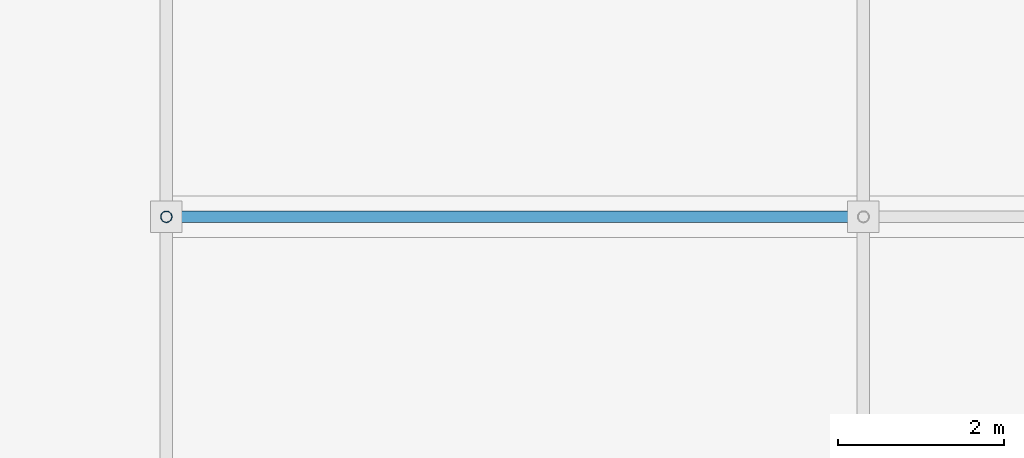
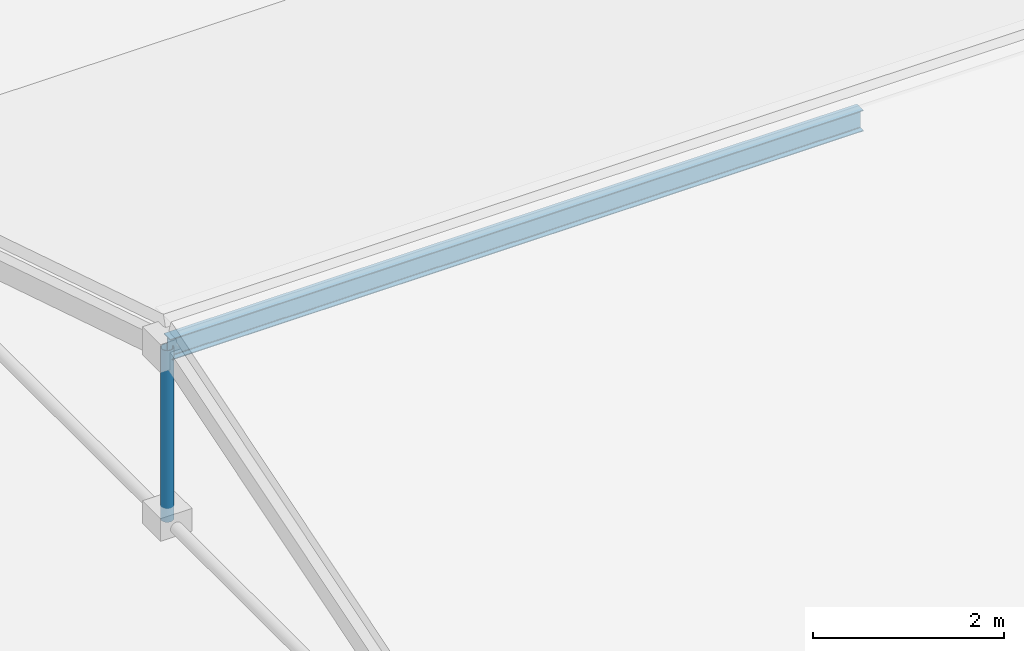
# One storey, part 3 of 16: 1 beam, 1 member.
"""IFC4 building model written with IfcOpenShell, lengths in metres."""

import ifcopenshell
import ifcopenshell.guid

model = None  # the IFC model being written
_history = None  # IfcOwnerHistory: only IFC2X3 demands one
_inside = {}  # id of a spatial element -> (the spatial element, [elements in it])
_under = {}  # id of a project, library or spatial element -> (it, [spatial elements below it])
_declared = {}  # id of a project -> (the project, [libraries it declares])
_typed = {}  # id of a type object -> (the type object, [elements of that type])
_made_of = {}  # id of a material, layer set ... -> (it, [elements and type objects made of it])


def new_model(schema):
    """Start an empty IFC model of exactly this schema.

    Asked for "IFC4X3", IfcOpenShell would pick the latest addendum, in which some entities
    have other attributes; the version numbers below select the first issue.
    IFC2X3 requires an IfcOwnerHistory on every rooted entity: one is made here for all.
    """
    global model, _history
    if schema == "IFC4X3":
        model = ifcopenshell.file(schema_version=(4, 3, 0, 0))
    else:
        model = ifcopenshell.file(schema=schema)
    _inside.clear()
    _under.clear()
    _declared.clear()
    _typed.clear()
    _made_of.clear()
    _history = None
    if model.schema == "IFC2X3":
        org = make("IfcOrganization", Name="unknown")
        user = make(
            "IfcPersonAndOrganization",
            ThePerson=make("IfcPerson", FamilyName="unknown"),
            TheOrganization=org,
        )
        app = make(
            "IfcApplication",
            ApplicationDeveloper=org,
            Version="unknown",
            ApplicationFullName="unknown",
            ApplicationIdentifier="unknown",
        )
        _history = make(
            "IfcOwnerHistory",
            OwningUser=user,
            OwningApplication=app,
            ChangeAction="ADDED",
            CreationDate=0,
        )
    return model


def make(cls, **values):
    """One entity of the class cls with the attributes given. An attribute that is None is left unset."""
    return model.create_entity(
        cls, **{name: value for name, value in values.items() if value is not None}
    )


def rooted(cls, **values):
    """An entity with a GlobalId (a new one), such as an element, a storey or a relation."""
    return make(cls, GlobalId=ifcopenshell.guid.new(), OwnerHistory=_history, **values)


def si_unit(unit_type, name, prefix=None):
    """IfcSIUnit, for example si_unit("LENGTHUNIT", "METRE", prefix="MILLI")."""
    return make("IfcSIUnit", UnitType=unit_type, Prefix=prefix, Name=name)


def assignment(units):
    """IfcUnitAssignment: the units of a project."""
    return None if units is None else make("IfcUnitAssignment", Units=units)


def point(xyz):
    """IfcCartesianPoint."""
    return None if xyz is None else make("IfcCartesianPoint", Coordinates=xyz)


def direction(xyz):
    """IfcDirection."""
    return None if xyz is None else make("IfcDirection", DirectionRatios=xyz)


def frame(location, z_axis=None, x_axis=None):
    """IfcAxis2Placement3D, a coordinate frame: its origin and axes. An axis left out is left unset."""
    return make(
        "IfcAxis2Placement3D",
        Location=point(location),
        Axis=direction(z_axis),
        RefDirection=direction(x_axis),
    )


def frame_2d(location, x_axis=None):
    """IfcAxis2Placement2D, a coordinate frame in the plane: its origin and x axis."""
    return make(
        "IfcAxis2Placement2D", Location=point(location), RefDirection=direction(x_axis)
    )


def origin():
    """The frame at (0, 0, 0) with its axes left unset."""
    return frame((0.0, 0.0, 0.0))


def origin_2d():
    """The frame at (0, 0) in the plane with its x axis left unset."""
    return frame_2d((0.0, 0.0))


def place(relative_to, where):
    """IfcLocalPlacement: puts the frame where relative to a parent placement (None: the world)."""
    return make(
        "IfcLocalPlacement", PlacementRelTo=relative_to, RelativePlacement=where
    )


def context(
    kind, dimensions, precision=None, world=None, true_north=None, identifier=None
):
    """IfcGeometricRepresentationContext, for example the 3D "Model" context."""
    return make(
        "IfcGeometricRepresentationContext",
        ContextIdentifier=identifier,
        ContextType=kind,
        CoordinateSpaceDimension=dimensions,
        Precision=precision,
        WorldCoordinateSystem=world,
        TrueNorth=true_north,
    )


def subcontext(parent, identifier, kind, view, scale=None):
    """IfcGeometricRepresentationSubContext, for example "Body" below "Model"."""
    return make(
        "IfcGeometricRepresentationSubContext",
        ContextIdentifier=identifier,
        ContextType=kind,
        ParentContext=parent,
        TargetScale=scale,
        TargetView=view,
    )


def project(units=None, contexts=None):
    """IfcProject with its units and contexts."""
    return rooted(
        "IfcProject",
        Name="project",
        RepresentationContexts=contexts,
        UnitsInContext=assignment(units),
    )


def spatial(cls, under=None, at=None, **own):
    """A site, building, storey or space (cls), placed at a placement, below another one or the project."""
    s = rooted(cls, ObjectPlacement=at, **own)
    if under is not None:
        _under.setdefault(under.id(), (under, []))[1].append(s)
    return s


def profile(cls, at=None, kind="AREA", **sizes):
    """A parametric profile (cls). Its sizes go by their IFC names, for example OverallWidth=200.0."""
    return make(cls, ProfileType=kind, Position=at, **sizes)


def hollow_circle(**sizes):
    """IfcCircleHollowProfileDef."""
    return profile("IfcCircleHollowProfileDef", **sizes)


def i_section(**sizes):
    """IfcIShapeProfileDef."""
    return profile("IfcIShapeProfileDef", **sizes)


def extrude(swept, where, along, depth):
    """IfcExtrudedAreaSolid: the profile swept, set in the frame where, extruded along a direction by depth."""
    return make(
        "IfcExtrudedAreaSolid",
        SweptArea=swept,
        Position=where,
        ExtrudedDirection=direction(along),
        Depth=depth,
    )


def shape(context_of_items, identifier, shape_type, items):
    """IfcShapeRepresentation: the items that make up one representation, for example the "Body"."""
    return make(
        "IfcShapeRepresentation",
        ContextOfItems=context_of_items,
        RepresentationIdentifier=identifier,
        RepresentationType=shape_type,
        Items=items,
    )


def material(Name=None, Category=None):
    """IfcMaterial."""
    return make("IfcMaterial", Name=Name, Category=Category)


def material_profile(
    of_material, cross_section, Name=None, Category=None, Priority=None
):
    """IfcMaterialProfile: a cross section and its material."""
    return make(
        "IfcMaterialProfile",
        Name=Name,
        Material=of_material,
        Profile=cross_section,
        Priority=Priority,
        Category=Category,
    )


def profile_set(profiles, Name=None, composite=None):
    """IfcMaterialProfileSet."""
    return make(
        "IfcMaterialProfileSet",
        Name=Name,
        MaterialProfiles=profiles,
        CompositeProfile=composite,
    )


def made_of(thing, what):
    """Note that an element or type object is made of a material, layer set ...; save() writes the relation."""
    if what is not None:
        _made_of.setdefault(what.id(), (what, []))[1].append(thing)
    return thing


def type_object(cls, material=None, **own):
    """A type object (cls), such as IfcWallType, which elements share."""
    return made_of(rooted(cls, **own), material)


def element(
    cls,
    number,
    at=None,
    inside=None,
    cuts=None,
    type_object=None,
    material=None,
    context=None,
    identifier="Body",
    shape_type=None,
    held_by="IfcProductDefinitionShape",
    body=None,
    shapes=None,
    **own,
):
    """One element of the class cls, such as IfcWall. Its Tag is "e" and its number.

    at: its placement. inside: the storey or other place that contains it. cuts: it is an
    opening in that element (IfcRelVoidsElement). A single representation is given by context,
    identifier, shape_type and body (its items); several are given by shapes. held_by: the class
    of the entity that holds the representations. save() writes the other relations.
    """
    e = rooted(cls, Tag="e%d" % number, ObjectPlacement=at, **own)
    if body is not None:
        shapes = [shape(context, identifier, shape_type, body)]
    if shapes is not None:
        e.Representation = make(held_by, Representations=shapes)
    if inside is not None:
        _inside.setdefault(inside.id(), (inside, []))[1].append(e)
    if cuts is not None:
        rooted(
            "IfcRelVoidsElement", RelatingBuildingElement=cuts, RelatedOpeningElement=e
        )
    if type_object is not None:
        _typed.setdefault(type_object.id(), (type_object, []))[1].append(e)
    return made_of(e, material)


def aggregate(whole, parts):
    """IfcRelAggregates: a whole, such as a stair, and the parts it consists of."""
    return rooted("IfcRelAggregates", RelatingObject=whole, RelatedObjects=parts)


def save(model, path):
    """Write the relations noted so far, then the file.

    IfcRelAggregates (storeys below a building ...), IfcRelContainedInSpatialStructure (elements
    in a storey), IfcRelDefinesByType, IfcRelAssociatesMaterial and IfcRelDeclares: one each for
    every whole, place, type object, material and project.
    """
    for whole, parts in _under.values():
        aggregate(whole, parts)
    for where, things in _inside.values():
        rooted(
            "IfcRelContainedInSpatialStructure",
            RelatedElements=things,
            RelatingStructure=where,
        )
    for kind, things in _typed.values():
        rooted("IfcRelDefinesByType", RelatedObjects=things, RelatingType=kind)
    for what, things in _made_of.values():
        rooted("IfcRelAssociatesMaterial", RelatedObjects=things, RelatingMaterial=what)
    for by, libraries in _declared.values():
        rooted("IfcRelDeclares", RelatingContext=by, RelatedDefinitions=libraries)
    model.write(path)


model = new_model("IFC4")

# Units and contexts
model_context = context("Model", 3, precision=1e-05, world=origin(), true_north=direction((0.0, 1.0)))
body_context = subcontext(model_context, "Body", "Model", "MODEL_VIEW")
ifc_project = project(units=[si_unit("LENGTHUNIT", "METRE"), si_unit("AREAUNIT", "SQUARE_METRE"), si_unit("VOLUMEUNIT", "CUBIC_METRE"), si_unit("PLANEANGLEUNIT", "RADIAN"), si_unit("MASSUNIT", "GRAM", prefix="KILO")], contexts=[model_context])

# Site, building, storey
site_placement = place(None, origin())
site = spatial("IfcSite", under=ifc_project, at=site_placement, CompositionType="ELEMENT")
building_placement = place(site_placement, origin())
building = spatial("IfcBuilding", under=site, at=building_placement, Name="Kenerak Square Central Library", CompositionType="ELEMENT")
storey_placement = place(building_placement, frame((0.0, 0.0, 27.840087890625)))
storey = spatial("IfcBuildingStorey", under=building, at=storey_placement, Name="L06", CompositionType="ELEMENT", Elevation=27.840087890625)

# Beam
ifc_material = material(Name="Steel S355", Category="steel")
ifc_material_profile_1 = material_profile(ifc_material, i_section(OverallWidth=0.135009765625, OverallDepth=0.27001953125, WebThickness=0.006591796875, FlangeThickness=0.01025390625, FilletRadius=0.014892578125, at=origin_2d()), Name="IPE 270")
ifc_profile_set_1 = profile_set([ifc_material_profile_1], Name="Steel S355")
beam_type = type_object("IfcBeamType", Name="Lantern Steel Joist SJ-03 IPE 270 S355", PredefinedType="JOIST", material=ifc_profile_set_1)
beam_placement = place(storey_placement, frame((75.199951171875, 67.199951171875, 2.309814453125), z_axis=(1.0, 0.0, 0.0), x_axis=(0.0, 1.0, 0.0)))
element("IfcBeam", 1, at=beam_placement, inside=storey, type_object=beam_type, Name="Lantern Ridge Steel Joist SJ-03 01", PredefinedType="JOIST", context=body_context, shape_type="SweptSolid", body=[
    extrude(i_section(OverallWidth=0.135009765625, OverallDepth=0.27001953125, WebThickness=0.006591796875, FlangeThickness=0.01025390625, FilletRadius=0.014892578125, at=origin_2d()), origin(), (0.0, 0.0, 1.0), 8.400146484375),
])

# Member
ifc_material_profile_2 = material_profile(ifc_material, hollow_circle(Radius=0.06982421875, WallThickness=0.00634765625, at=origin_2d()), Name="CHS 139.7x6.3")
ifc_profile_set_2 = profile_set([ifc_material_profile_2], Name="Steel S355")
member_type = type_object("IfcMemberType", Name="Lantern Tie Strut LT-01 CHS 139.7x6.3 S355", PredefinedType="STRUT", material=ifc_profile_set_2)
member_placement = place(storey_placement, frame((75.199951171875, 67.199951171875, 0.10986328125), z_axis=(0.0, 0.0, 1.0), x_axis=(1.0, 0.0, 0.0)))
element("IfcMember", 2, at=member_placement, inside=storey, type_object=member_type, Name="Atrium Lantern King Post 0274", PredefinedType="STRUT", context=body_context, shape_type="SweptSolid", body=[
    extrude(hollow_circle(Radius=0.06982421875, WallThickness=0.00634765625, at=origin_2d()), origin(), (0.0, 0.0, 1.0), 2.199951171875),
])

save(model, "model.ifc")
